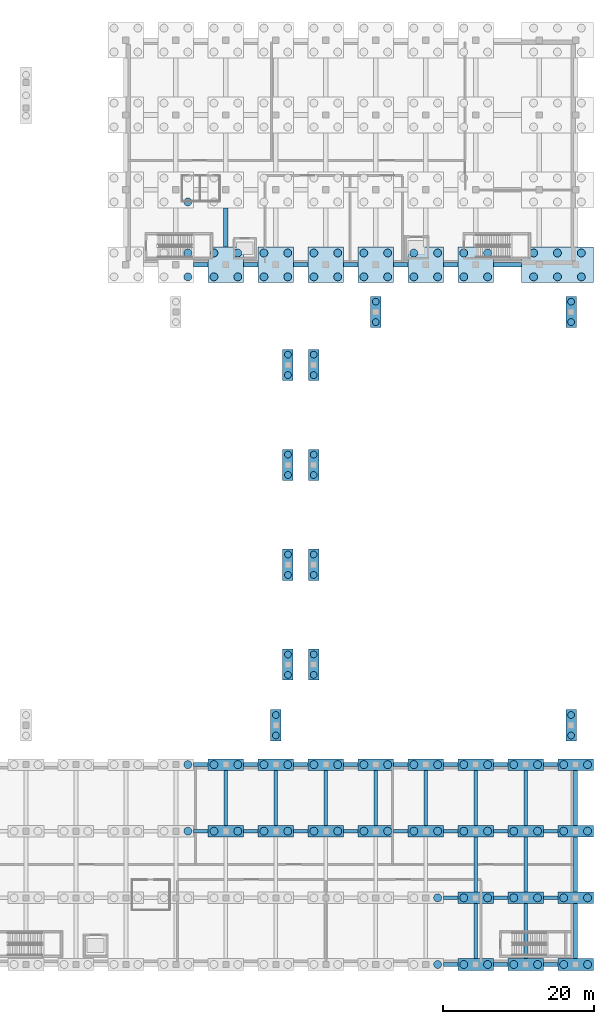
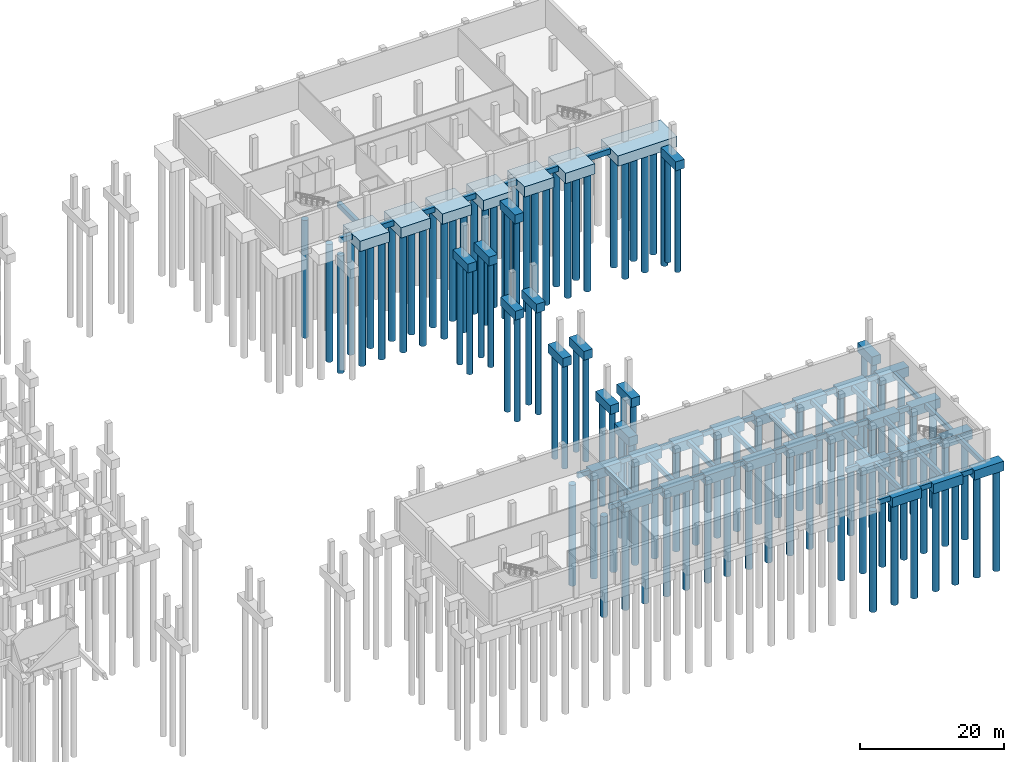
# One storey, part 5 of 23: 105 piles, 85 footings.
"""IFC4 building model written with IfcOpenShell, lengths in metres."""

from ifc_helpers import new_model, si_unit, direction, frame, origin, origin_2d, place, context, subcontext, project, spatial, rectangle, circle, extrude, material, material_profile, profile_set, type_object, element, save


model = new_model("IFC4")

# Units and contexts
model_context = context("Model", 3, precision=1e-05, world=origin(), true_north=direction((0.0, 1.0)))
body_context = subcontext(model_context, "Body", "Model", "MODEL_VIEW")
ifc_project = project(units=[si_unit("LENGTHUNIT", "METRE"), si_unit("AREAUNIT", "SQUARE_METRE"), si_unit("VOLUMEUNIT", "CUBIC_METRE"), si_unit("PLANEANGLEUNIT", "RADIAN"), si_unit("MASSUNIT", "GRAM", prefix="KILO")], contexts=[model_context])

# Site, building, storey
site_placement = place(None, origin())
site = spatial("IfcSite", under=ifc_project, at=site_placement, CompositionType="ELEMENT")
building_placement = place(site_placement, origin())
building = spatial("IfcBuilding", under=site, at=building_placement, Name="Dornvale Research Institute", CompositionType="ELEMENT")
storey_placement = place(building_placement, frame((0.0, 0.0, -5.39990234375)))
storey = spatial("IfcBuildingStorey", under=building, at=storey_placement, Name="B1", CompositionType="ELEMENT", Elevation=-5.39990234375)

# Piles
ifc_material_1 = material(Name="Concrete f'c 35 MPa (C30/37)", Category="concrete")
ifc_material_profile_1 = material_profile(ifc_material_1, circle(Radius=0.52490234375, at=origin_2d()), Name="CIDH PILE D1050")
ifc_profile_set_1 = profile_set([ifc_material_profile_1], Name="Concrete f'c 35 MPa (C30/37)")
pile_type_1 = type_object("IfcPileType", Name="BoredPile_CIDH_1050", PredefinedType="BORED", material=ifc_profile_set_1)
for number, where, z_axis, x_axis, name in (
    (1, (159.97509765625, 0.0, -1.97998046875), (0.0, 0.0, -1.0), (1.0, 0.0, 0.0), "CIDH bored pile P-02 #38"),
    (2, (163.425048828125, 0.0, -1.97998046875), (0.0, 0.0, -1.0), (1.0, 0.0, 0.0), "CIDH bored pile P-02 #39"),
    (3, (166.574951171875, 0.0, -1.97998046875), (0.0, 0.0, -1.0), (1.0, 0.0, 0.0), "CIDH bored pile P-02 #40"),
    (4, (170.02490234375, 0.0, -1.97998046875), (0.0, 0.0, -1.0), (1.0, 0.0, 0.0), "CIDH bored pile P-02 #41"),
    (5, (173.175048828125, 0.0, -1.97998046875), (0.0, 0.0, -1.0), (1.0, 0.0, 0.0), "CIDH bored pile P-02 #42"),
    (6, (176.625, 0.0, -1.97998046875), (0.0, 0.0, -1.0), (1.0, 0.0, 0.0), "CIDH bored pile P-02 #43"),
    (7, (179.77490234375, 0.0, -1.97998046875), (0.0, 0.0, -1.0), (1.0, 0.0, 0.0), "CIDH bored pile P-02 #44"),
    (8, (159.97509765625, 8.804931640625, -1.97998046875), (0.0, 0.0, -1.0), (1.0, 0.0, 0.0), "CIDH bored pile P-02 #64"),
    (9, (163.425048828125, 8.804931640625, -1.97998046875), (0.0, 0.0, -1.0), (1.0, 0.0, 0.0), "CIDH bored pile P-02 #65"),
    (10, (166.574951171875, 8.804931640625, -1.97998046875), (0.0, 0.0, -1.0), (1.0, 0.0, 0.0), "CIDH bored pile P-02 #66"),
    (11, (170.02490234375, 8.804931640625, -1.97998046875), (0.0, 0.0, -1.0), (1.0, 0.0, 0.0), "CIDH bored pile P-02 #67"),
    (12, (173.175048828125, 8.804931640625, -1.97998046875), (0.0, 0.0, -1.0), (1.0, 0.0, 0.0), "CIDH bored pile P-02 #68"),
    (13, (176.625, 8.804931640625, -1.97998046875), (0.0, 0.0, -1.0), (1.0, 0.0, 0.0), "CIDH bored pile P-02 #69"),
    (14, (179.77490234375, 8.804931640625, -1.97998046875), (0.0, 0.0, -1.0), (1.0, 0.0, 0.0), "CIDH bored pile P-02 #70"),
    (15, (126.97509765625, 17.60498046875, -1.97998046875), (0.0, 0.0, -1.0), (1.0, 0.0, 0.0), "CIDH bored pile P-02 #82"),
    (16, (130.425048828125, 17.60498046875, -1.97998046875), (0.0, 0.0, -1.0), (1.0, 0.0, 0.0), "CIDH bored pile P-02 #83"),
    (17, (133.574951171875, 17.60498046875, -1.97998046875), (0.0, 0.0, -1.0), (1.0, 0.0, 0.0), "CIDH bored pile P-02 #84"),
    (18, (137.02490234375, 17.60498046875, -1.97998046875), (0.0, 0.0, -1.0), (1.0, 0.0, 0.0), "CIDH bored pile P-02 #85"),
    (19, (140.175048828125, 17.60498046875, -1.97998046875), (0.0, 0.0, -1.0), (1.0, 0.0, 0.0), "CIDH bored pile P-02 #86"),
    (20, (143.625, 17.60498046875, -1.97998046875), (0.0, 0.0, -1.0), (1.0, 0.0, 0.0), "CIDH bored pile P-02 #87"),
    (21, (146.77490234375, 17.60498046875, -1.97998046875), (0.0, 0.0, -1.0), (1.0, 0.0, 0.0), "CIDH bored pile P-02 #88"),
    (22, (150.22509765625, 17.60498046875, -1.97998046875), (0.0, 0.0, -1.0), (1.0, 0.0, 0.0), "CIDH bored pile P-02 #89"),
    (23, (153.375, 17.60498046875, -1.97998046875), (0.0, 0.0, -1.0), (1.0, 0.0, 0.0), "CIDH bored pile P-02 #90"),
    (24, (156.824951171875, 17.60498046875, -1.97998046875), (0.0, 0.0, -1.0), (1.0, 0.0, 0.0), "CIDH bored pile P-02 #91"),
    (25, (159.97509765625, 17.60498046875, -1.97998046875), (0.0, 0.0, -1.0), (1.0, 0.0, 0.0), "CIDH bored pile P-02 #92"),
    (26, (163.425048828125, 17.60498046875, -1.97998046875), (0.0, 0.0, -1.0), (1.0, 0.0, 0.0), "CIDH bored pile P-02 #93"),
    (27, (166.574951171875, 17.60498046875, -1.97998046875), (0.0, 0.0, -1.0), (1.0, 0.0, 0.0), "CIDH bored pile P-02 #94"),
    (28, (170.02490234375, 17.60498046875, -1.97998046875), (0.0, 0.0, -1.0), (1.0, 0.0, 0.0), "CIDH bored pile P-02 #95"),
    (29, (173.175048828125, 17.60498046875, -1.97998046875), (0.0, 0.0, -1.0), (1.0, 0.0, 0.0), "CIDH bored pile P-02 #96"),
    (30, (176.625, 17.60498046875, -1.97998046875), (0.0, 0.0, -1.0), (1.0, 0.0, 0.0), "CIDH bored pile P-02 #97"),
    (31, (179.77490234375, 17.60498046875, -1.97998046875), (0.0, 0.0, -1.0), (1.0, 0.0, 0.0), "CIDH bored pile P-02 #98"),
    (32, (126.97509765625, 26.39501953125, -1.97998046875), (0.0, 0.0, -1.0), (1.0, 0.0, 0.0), "CIDH bored pile P-02 #126"),
    (33, (130.425048828125, 26.39501953125, -1.97998046875), (0.0, 0.0, -1.0), (1.0, 0.0, 0.0), "CIDH bored pile P-02 #127"),
    (34, (133.574951171875, 26.39501953125, -1.97998046875), (0.0, 0.0, -1.0), (1.0, 0.0, 0.0), "CIDH bored pile P-02 #128"),
    (35, (137.02490234375, 26.39501953125, -1.97998046875), (0.0, 0.0, -1.0), (1.0, 0.0, 0.0), "CIDH bored pile P-02 #129"),
    (36, (140.175048828125, 26.39501953125, -1.97998046875), (0.0, 0.0, -1.0), (1.0, 0.0, 0.0), "CIDH bored pile P-02 #130"),
    (37, (143.625, 26.39501953125, -1.97998046875), (0.0, 0.0, -1.0), (1.0, 0.0, 0.0), "CIDH bored pile P-02 #131"),
    (38, (146.77490234375, 26.39501953125, -1.97998046875), (0.0, 0.0, -1.0), (1.0, 0.0, 0.0), "CIDH bored pile P-02 #132"),
    (39, (150.22509765625, 26.39501953125, -1.97998046875), (0.0, 0.0, -1.0), (1.0, 0.0, 0.0), "CIDH bored pile P-02 #133"),
    (40, (153.375, 26.39501953125, -1.97998046875), (0.0, 0.0, -1.0), (1.0, 0.0, 0.0), "CIDH bored pile P-02 #134"),
    (41, (156.824951171875, 26.39501953125, -1.97998046875), (0.0, 0.0, -1.0), (1.0, 0.0, 0.0), "CIDH bored pile P-02 #135"),
    (42, (159.97509765625, 26.39501953125, -1.97998046875), (0.0, 0.0, -1.0), (1.0, 0.0, 0.0), "CIDH bored pile P-02 #136"),
    (43, (163.425048828125, 26.39501953125, -1.97998046875), (0.0, 0.0, -1.0), (1.0, 0.0, 0.0), "CIDH bored pile P-02 #137"),
    (44, (166.574951171875, 26.39501953125, -1.97998046875), (0.0, 0.0, -1.0), (1.0, 0.0, 0.0), "CIDH bored pile P-02 #138"),
    (45, (170.02490234375, 26.39501953125, -1.97998046875), (0.0, 0.0, -1.0), (1.0, 0.0, 0.0), "CIDH bored pile P-02 #139"),
    (46, (173.175048828125, 26.39501953125, -1.97998046875), (0.0, 0.0, -1.0), (1.0, 0.0, 0.0), "CIDH bored pile P-02 #140"),
    (47, (176.625, 26.39501953125, -1.97998046875), (0.0, 0.0, -1.0), (1.0, 0.0, 0.0), "CIDH bored pile P-02 #141"),
    (48, (179.77490234375, 26.39501953125, -1.97998046875), (0.0, 0.0, -1.0), (1.0, 0.0, 0.0), "CIDH bored pile P-02 #142"),
):
    element("IfcPile", number, at=place(storey_placement, frame(where, z_axis=z_axis, x_axis=x_axis)), inside=storey, type_object=pile_type_1, Name=name, PredefinedType="BORED", context=body_context, shape_type="SweptSolid", body=[
        extrude(circle(Radius=0.52490234375, at=origin_2d()), origin(), (0.0, 0.0, 1.0), 17.1201171875),
    ])
for number, where, z_axis, x_axis, name in (
    (49, (126.97509765625, 90.824951171875, -2.130126953125), (0.0, 0.0, -1.0), (1.0, 0.0, 0.0), "CIDH bored pile P-02 #261"),
    (50, (126.97509765625, 93.97509765625, -2.130126953125), (0.0, 0.0, -1.0), (1.0, 0.0, 0.0), "CIDH bored pile P-02 #262"),
    (51, (130.425048828125, 90.824951171875, -2.130126953125), (0.0, 0.0, -1.0), (1.0, 0.0, 0.0), "CIDH bored pile P-02 #263"),
    (52, (130.425048828125, 93.97509765625, -2.130126953125), (0.0, 0.0, -1.0), (1.0, 0.0, 0.0), "CIDH bored pile P-02 #264"),
    (53, (133.574951171875, 90.824951171875, -2.130126953125), (0.0, 0.0, -1.0), (1.0, 0.0, 0.0), "CIDH bored pile P-02 #265"),
    (54, (133.574951171875, 93.97509765625, -2.130126953125), (0.0, 0.0, -1.0), (1.0, 0.0, 0.0), "CIDH bored pile P-02 #266"),
    (55, (137.02490234375, 90.824951171875, -2.130126953125), (0.0, 0.0, -1.0), (1.0, 0.0, 0.0), "CIDH bored pile P-02 #267"),
    (56, (137.02490234375, 93.97509765625, -2.130126953125), (0.0, 0.0, -1.0), (1.0, 0.0, 0.0), "CIDH bored pile P-02 #268"),
    (57, (140.175048828125, 90.824951171875, -2.130126953125), (0.0, 0.0, -1.0), (1.0, 0.0, 0.0), "CIDH bored pile P-02 #269"),
    (58, (140.175048828125, 93.97509765625, -2.130126953125), (0.0, 0.0, -1.0), (1.0, 0.0, 0.0), "CIDH bored pile P-02 #270"),
    (59, (143.625, 90.824951171875, -2.130126953125), (0.0, 0.0, -1.0), (1.0, 0.0, 0.0), "CIDH bored pile P-02 #271"),
    (60, (143.625, 93.97509765625, -2.130126953125), (0.0, 0.0, -1.0), (1.0, 0.0, 0.0), "CIDH bored pile P-02 #272"),
    (61, (146.77490234375, 90.824951171875, -2.130126953125), (0.0, 0.0, -1.0), (1.0, 0.0, 0.0), "CIDH bored pile P-02 #273"),
    (62, (146.77490234375, 93.97509765625, -2.130126953125), (0.0, 0.0, -1.0), (1.0, 0.0, 0.0), "CIDH bored pile P-02 #274"),
    (63, (150.22509765625, 90.824951171875, -2.130126953125), (0.0, 0.0, -1.0), (1.0, 0.0, 0.0), "CIDH bored pile P-02 #275"),
    (64, (150.22509765625, 93.97509765625, -2.130126953125), (0.0, 0.0, -1.0), (1.0, 0.0, 0.0), "CIDH bored pile P-02 #276"),
    (65, (153.375, 90.824951171875, -2.130126953125), (0.0, 0.0, -1.0), (1.0, 0.0, 0.0), "CIDH bored pile P-02 #277"),
    (66, (153.375, 93.97509765625, -2.130126953125), (0.0, 0.0, -1.0), (1.0, 0.0, 0.0), "CIDH bored pile P-02 #278"),
    (67, (156.824951171875, 90.824951171875, -2.130126953125), (0.0, 0.0, -1.0), (1.0, 0.0, 0.0), "CIDH bored pile P-02 #279"),
    (68, (156.824951171875, 93.97509765625, -2.130126953125), (0.0, 0.0, -1.0), (1.0, 0.0, 0.0), "CIDH bored pile P-02 #280"),
    (69, (159.97509765625, 90.824951171875, -2.130126953125), (0.0, 0.0, -1.0), (1.0, 0.0, 0.0), "CIDH bored pile P-02 #281"),
    (70, (159.97509765625, 93.97509765625, -2.130126953125), (0.0, 0.0, -1.0), (1.0, 0.0, 0.0), "CIDH bored pile P-02 #282"),
    (71, (163.425048828125, 90.824951171875, -2.130126953125), (0.0, 0.0, -1.0), (1.0, 0.0, 0.0), "CIDH bored pile P-02 #283"),
    (72, (163.425048828125, 93.97509765625, -2.130126953125), (0.0, 0.0, -1.0), (1.0, 0.0, 0.0), "CIDH bored pile P-02 #284"),
    (73, (166.574951171875, 90.824951171875, -2.130126953125), (0.0, 0.0, -1.0), (1.0, 0.0, 0.0), "CIDH bored pile P-02 #285"),
    (74, (166.574951171875, 93.97509765625, -2.130126953125), (0.0, 0.0, -1.0), (1.0, 0.0, 0.0), "CIDH bored pile P-02 #286"),
    (75, (172.64990234375, 90.824951171875, -2.130126953125), (0.0, 0.0, -1.0), (1.0, 0.0, 0.0), "CIDH bored pile P-02 #287"),
    (76, (172.64990234375, 93.97509765625, -2.130126953125), (0.0, 0.0, -1.0), (1.0, 0.0, 0.0), "CIDH bored pile P-02 #288"),
    (77, (175.800048828125, 90.824951171875, -2.130126953125), (0.0, 0.0, -1.0), (1.0, 0.0, 0.0), "CIDH bored pile P-02 #289"),
    (78, (175.800048828125, 93.97509765625, -2.130126953125), (0.0, 0.0, -1.0), (1.0, 0.0, 0.0), "CIDH bored pile P-02 #290"),
    (79, (178.949951171875, 90.824951171875, -2.130126953125), (0.0, 0.0, -1.0), (1.0, 0.0, 0.0), "CIDH bored pile P-02 #291"),
    (80, (178.949951171875, 93.97509765625, -2.130126953125), (0.0, 0.0, -1.0), (1.0, 0.0, 0.0), "CIDH bored pile P-02 #292"),
    (81, (126.97509765625, 100.72509765625, -2.130126953125), (0.0, 0.0, -1.0), (1.0, 0.0, 0.0), "CIDH bored pile P-02 #352"),
):
    element("IfcPile", number, at=place(storey_placement, frame(where, z_axis=z_axis, x_axis=x_axis)), inside=storey, type_object=pile_type_1, Name=name, PredefinedType="BORED", context=body_context, shape_type="SweptSolid", body=[
        extrude(circle(Radius=0.52490234375, at=origin_2d()), origin(), (0.0, 0.0, 1.0), 19.969970703125),
    ])
ifc_material_2 = material(Name="Concrete f'c 35 MPa (C30/37)", Category="concrete")
ifc_material_profile_2 = material_profile(ifc_material_2, circle(Radius=0.449951171875, at=origin_2d()), Name="CIDH PILE D900")
ifc_profile_set_2 = profile_set([ifc_material_profile_2], Name="Concrete f'c 35 MPa (C30/37)")
pile_type_2 = type_object("IfcPileType", Name="BoredPile_CIDH_900", PredefinedType="BORED", material=ifc_profile_set_2)
for number, where, z_axis, x_axis, name in (
    (82, (138.60009765625, 30.25, -1.380126953125), (0.0, 0.0, -1.0), (1.0, 0.0, 0.0), "CIDH bored pile P-03 #145"),
    (83, (138.60009765625, 32.949951171875, -1.380126953125), (0.0, 0.0, -1.0), (1.0, 0.0, 0.0), "CIDH bored pile P-03 #146"),
    (84, (177.60009765625, 30.25, -1.380126953125), (0.0, 0.0, -1.0), (1.0, 0.0, 0.0), "CIDH bored pile P-03 #147"),
    (85, (177.60009765625, 32.949951171875, -1.380126953125), (0.0, 0.0, -1.0), (1.0, 0.0, 0.0), "CIDH bored pile P-03 #148"),
    (86, (151.800048828125, 84.85009765625, -1.380126953125), (0.0, 0.0, -1.0), (1.0, 0.0, 0.0), "CIDH bored pile P-03 #243"),
    (87, (151.800048828125, 87.550048828125, -1.380126953125), (0.0, 0.0, -1.0), (1.0, 0.0, 0.0), "CIDH bored pile P-03 #244"),
    (88, (177.60009765625, 84.85009765625, -1.380126953125), (0.0, 0.0, -1.0), (1.0, 0.0, 0.0), "CIDH bored pile P-03 #245"),
    (89, (177.60009765625, 87.550048828125, -1.380126953125), (0.0, 0.0, -1.0), (1.0, 0.0, 0.0), "CIDH bored pile P-03 #246"),
    (90, (140.199951171875, 38.25, -1.380126953125), (0.0, 0.0, -1.0), (1.0, 0.0, 0.0), "Bridge CIDH bored pile P-03 #10"),
    (91, (140.199951171875, 40.949951171875, -1.380126953125), (0.0, 0.0, -1.0), (1.0, 0.0, 0.0), "Bridge CIDH bored pile P-03 #11"),
    (92, (143.60009765625, 38.25, -1.380126953125), (0.0, 0.0, -1.0), (1.0, 0.0, 0.0), "Bridge CIDH bored pile P-03 #12"),
    (93, (143.60009765625, 40.949951171875, -1.380126953125), (0.0, 0.0, -1.0), (1.0, 0.0, 0.0), "Bridge CIDH bored pile P-03 #13"),
    (94, (140.199951171875, 51.449951171875, -1.380126953125), (0.0, 0.0, -1.0), (1.0, 0.0, 0.0), "Bridge CIDH bored pile P-03 #14"),
    (95, (140.199951171875, 54.14990234375, -1.380126953125), (0.0, 0.0, -1.0), (1.0, 0.0, 0.0), "Bridge CIDH bored pile P-03 #15"),
    (96, (143.60009765625, 51.449951171875, -1.380126953125), (0.0, 0.0, -1.0), (1.0, 0.0, 0.0), "Bridge CIDH bored pile P-03 #16"),
    (97, (143.60009765625, 54.14990234375, -1.380126953125), (0.0, 0.0, -1.0), (1.0, 0.0, 0.0), "Bridge CIDH bored pile P-03 #17"),
    (98, (140.199951171875, 64.64990234375, -1.380126953125), (0.0, 0.0, -1.0), (1.0, 0.0, 0.0), "Bridge CIDH bored pile P-03 #18"),
    (99, (140.199951171875, 67.35009765625, -1.380126953125), (0.0, 0.0, -1.0), (1.0, 0.0, 0.0), "Bridge CIDH bored pile P-03 #19"),
    (100, (143.60009765625, 64.64990234375, -1.380126953125), (0.0, 0.0, -1.0), (1.0, 0.0, 0.0), "Bridge CIDH bored pile P-03 #20"),
    (101, (143.60009765625, 67.35009765625, -1.380126953125), (0.0, 0.0, -1.0), (1.0, 0.0, 0.0), "Bridge CIDH bored pile P-03 #21"),
    (102, (140.199951171875, 77.85009765625, -1.380126953125), (0.0, 0.0, -1.0), (1.0, 0.0, 0.0), "Bridge CIDH bored pile P-03 #22"),
    (103, (140.199951171875, 80.550048828125, -1.380126953125), (0.0, 0.0, -1.0), (1.0, 0.0, 0.0), "Bridge CIDH bored pile P-03 #23"),
    (104, (143.60009765625, 77.85009765625, -1.380126953125), (0.0, 0.0, -1.0), (1.0, 0.0, 0.0), "Bridge CIDH bored pile P-03 #24"),
    (105, (143.60009765625, 80.550048828125, -1.380126953125), (0.0, 0.0, -1.0), (1.0, 0.0, 0.0), "Bridge CIDH bored pile P-03 #25"),
):
    element("IfcPile", number, at=place(storey_placement, frame(where, z_axis=z_axis, x_axis=x_axis)), inside=storey, type_object=pile_type_2, Name=name, PredefinedType="BORED", context=body_context, shape_type="SweptSolid", body=[
        extrude(circle(Radius=0.449951171875, at=origin_2d()), origin(), (0.0, 0.0, 1.0), 17.719970703125),
    ])

# Footings
ifc_material_3 = material(Name="Concrete f'c 35 MPa (C30/37)", Category="concrete")
footing_type_1 = type_object("IfcFootingType", Name="FootingBeam_Tie_500x800", PredefinedType="FOOTING_BEAM", material=ifc_material_3)
for number, where, z_axis, x_axis, name in (
    (106, (161.699951171875, 0.0, -1.30029296875), (0.0, 0.0, 1.0), (1.0, 0.0, 0.0), "Seismic tie beam #95"),
    (107, (168.300048828125, 0.0, -1.30029296875), (0.0, 0.0, 1.0), (1.0, 0.0, 0.0), "Seismic tie beam #96"),
    (108, (174.89990234375, 0.0, -1.30029296875), (0.0, 0.0, 1.0), (1.0, 0.0, 0.0), "Seismic tie beam #97"),
    (109, (161.699951171875, 8.800048828125, -1.30029296875), (0.0, 0.0, 1.0), (1.0, 0.0, 0.0), "Seismic tie beam #107"),
    (110, (168.300048828125, 8.800048828125, -1.30029296875), (0.0, 0.0, 1.0), (1.0, 0.0, 0.0), "Seismic tie beam #108"),
    (111, (174.89990234375, 8.800048828125, -1.30029296875), (0.0, 0.0, 1.0), (1.0, 0.0, 0.0), "Seismic tie beam #109"),
    (112, (128.699951171875, 17.60009765625, -1.30029296875), (0.0, 0.0, 1.0), (1.0, 0.0, 0.0), "Seismic tie beam #114"),
    (113, (135.300048828125, 17.60009765625, -1.30029296875), (0.0, 0.0, 1.0), (1.0, 0.0, 0.0), "Seismic tie beam #115"),
    (114, (141.89990234375, 17.60009765625, -1.30029296875), (0.0, 0.0, 1.0), (1.0, 0.0, 0.0), "Seismic tie beam #116"),
    (115, (148.5, 17.60009765625, -1.30029296875), (0.0, 0.0, 1.0), (1.0, 0.0, 0.0), "Seismic tie beam #117"),
    (116, (155.10009765625, 17.60009765625, -1.30029296875), (0.0, 0.0, 1.0), (1.0, 0.0, 0.0), "Seismic tie beam #118"),
    (117, (161.699951171875, 17.60009765625, -1.30029296875), (0.0, 0.0, 1.0), (1.0, 0.0, 0.0), "Seismic tie beam #119"),
    (118, (168.300048828125, 17.60009765625, -1.30029296875), (0.0, 0.0, 1.0), (1.0, 0.0, 0.0), "Seismic tie beam #120"),
    (119, (174.89990234375, 17.60009765625, -1.30029296875), (0.0, 0.0, 1.0), (1.0, 0.0, 0.0), "Seismic tie beam #121"),
    (120, (128.699951171875, 26.39990234375, -1.30029296875), (0.0, 0.0, 1.0), (1.0, 0.0, 0.0), "Seismic tie beam #126"),
    (121, (135.300048828125, 26.39990234375, -1.30029296875), (0.0, 0.0, 1.0), (1.0, 0.0, 0.0), "Seismic tie beam #127"),
    (122, (141.89990234375, 26.39990234375, -1.30029296875), (0.0, 0.0, 1.0), (1.0, 0.0, 0.0), "Seismic tie beam #128"),
    (123, (148.5, 26.39990234375, -1.30029296875), (0.0, 0.0, 1.0), (1.0, 0.0, 0.0), "Seismic tie beam #129"),
    (124, (155.10009765625, 26.39990234375, -1.30029296875), (0.0, 0.0, 1.0), (1.0, 0.0, 0.0), "Seismic tie beam #130"),
    (125, (161.699951171875, 26.39990234375, -1.30029296875), (0.0, 0.0, 1.0), (1.0, 0.0, 0.0), "Seismic tie beam #131"),
    (126, (168.300048828125, 26.39990234375, -1.30029296875), (0.0, 0.0, 1.0), (1.0, 0.0, 0.0), "Seismic tie beam #132"),
    (127, (174.89990234375, 26.39990234375, -1.30029296875), (0.0, 0.0, 1.0), (1.0, 0.0, 0.0), "Seismic tie beam #133"),
):
    element("IfcFooting", number, at=place(storey_placement, frame(where, z_axis=z_axis, x_axis=x_axis)), inside=storey, type_object=footing_type_1, Name=name, PredefinedType="FOOTING_BEAM", context=body_context, shape_type="SweptSolid", body=[
        extrude(rectangle(XDim=1.89990234375, YDim=0.5, at=origin_2d()), origin(), (0.0, 0.0, 1.0), 0.800048828125),
    ])
for number, where, z_axis, x_axis, name in (
    (128, (132.0, 22.0, -1.30029296875), (0.0, 0.0, 1.0), (0.0, 1.0, 0.0), "Seismic tie beam #151"),
    (129, (138.60009765625, 22.0, -1.30029296875), (0.0, 0.0, 1.0), (0.0, 1.0, 0.0), "Seismic tie beam #154"),
    (130, (145.199951171875, 22.0, -1.30029296875), (0.0, 0.0, 1.0), (0.0, 1.0, 0.0), "Seismic tie beam #157"),
    (131, (151.800048828125, 22.0, -1.30029296875), (0.0, 0.0, 1.0), (0.0, 1.0, 0.0), "Seismic tie beam #160"),
    (132, (158.39990234375, 22.0, -1.30029296875), (0.0, 0.0, 1.0), (0.0, 1.0, 0.0), "Seismic tie beam #163"),
):
    element("IfcFooting", number, at=place(storey_placement, frame(where, z_axis=z_axis, x_axis=x_axis)), inside=storey, type_object=footing_type_1, Name=name, PredefinedType="FOOTING_BEAM", context=body_context, shape_type="SweptSolid", body=[
        extrude(rectangle(XDim=7.239990234375, YDim=0.5, at=origin_2d()), origin(), (0.0, 0.0, 1.0), 0.800048828125),
    ])
for number, where, z_axis, x_axis, name in (
    (133, (165.0, 4.405029296875, -1.30029296875), (0.0, 0.0, 1.0), (0.0, 1.0, 0.0), "Seismic tie beam #164"),
    (134, (165.0, 13.205078125, -1.30029296875), (0.0, 0.0, 1.0), (0.0, 1.0, 0.0), "Seismic tie beam #165"),
):
    element("IfcFooting", number, at=place(storey_placement, frame(where, z_axis=z_axis, x_axis=x_axis)), inside=storey, type_object=footing_type_1, Name=name, PredefinedType="FOOTING_BEAM", context=body_context, shape_type="SweptSolid", body=[
        extrude(rectangle(XDim=7.25, YDim=0.5, at=origin_2d()), origin(), (0.0, 0.0, 1.0), 0.800048828125),
    ])
footing_1_placement = place(storey_placement, frame((165.0, 22.0, -1.30029296875), z_axis=(0.0, 0.0, 1.0), x_axis=(0.0, 1.0, 0.0)))
element("IfcFooting", 135, at=footing_1_placement, inside=storey, type_object=footing_type_1, Name="Seismic tie beam #166", PredefinedType="FOOTING_BEAM", context=body_context, shape_type="SweptSolid", body=[
    extrude(rectangle(XDim=7.239990234375, YDim=0.5, at=origin_2d()), origin(), (0.0, 0.0, 1.0), 0.800048828125),
])
for number, where, z_axis, x_axis, name in (
    (136, (171.60009765625, 4.405029296875, -1.30029296875), (0.0, 0.0, 1.0), (0.0, 1.0, 0.0), "Seismic tie beam #167"),
    (137, (171.60009765625, 13.205078125, -1.30029296875), (0.0, 0.0, 1.0), (0.0, 1.0, 0.0), "Seismic tie beam #168"),
):
    element("IfcFooting", number, at=place(storey_placement, frame(where, z_axis=z_axis, x_axis=x_axis)), inside=storey, type_object=footing_type_1, Name=name, PredefinedType="FOOTING_BEAM", context=body_context, shape_type="SweptSolid", body=[
        extrude(rectangle(XDim=7.25, YDim=0.5, at=origin_2d()), origin(), (0.0, 0.0, 1.0), 0.800048828125),
    ])
footing_2_placement = place(storey_placement, frame((171.60009765625, 22.0, -1.30029296875), z_axis=(0.0, 0.0, 1.0), x_axis=(0.0, 1.0, 0.0)))
element("IfcFooting", 138, at=footing_2_placement, inside=storey, type_object=footing_type_1, Name="Seismic tie beam #169", PredefinedType="FOOTING_BEAM", context=body_context, shape_type="SweptSolid", body=[
    extrude(rectangle(XDim=7.239990234375, YDim=0.5, at=origin_2d()), origin(), (0.0, 0.0, 1.0), 0.800048828125),
])
for number, where, z_axis, x_axis, name in (
    (139, (178.199951171875, 4.405029296875, -1.30029296875), (0.0, 0.0, 1.0), (0.0, 1.0, 0.0), "Seismic tie beam #170"),
    (140, (178.199951171875, 13.205078125, -1.30029296875), (0.0, 0.0, 1.0), (0.0, 1.0, 0.0), "Seismic tie beam #171"),
):
    element("IfcFooting", number, at=place(storey_placement, frame(where, z_axis=z_axis, x_axis=x_axis)), inside=storey, type_object=footing_type_1, Name=name, PredefinedType="FOOTING_BEAM", context=body_context, shape_type="SweptSolid", body=[
        extrude(rectangle(XDim=7.25, YDim=0.5, at=origin_2d()), origin(), (0.0, 0.0, 1.0), 0.800048828125),
    ])
footing_3_placement = place(storey_placement, frame((178.199951171875, 22.0, -1.30029296875), z_axis=(0.0, 0.0, 1.0), x_axis=(0.0, 1.0, 0.0)))
element("IfcFooting", 141, at=footing_3_placement, inside=storey, type_object=footing_type_1, Name="Seismic tie beam #172", PredefinedType="FOOTING_BEAM", context=body_context, shape_type="SweptSolid", body=[
    extrude(rectangle(XDim=7.239990234375, YDim=0.5, at=origin_2d()), origin(), (0.0, 0.0, 1.0), 0.800048828125),
])
ifc_material_4 = material(Name="Concrete f'c 35 MPa (C30/37)", Category="concrete")
footing_type_2 = type_object("IfcFootingType", Name="FootingBeam_Tie_600x900", PredefinedType="FOOTING_BEAM", material=ifc_material_4)
for number, where, z_axis, x_axis, name in (
    (142, (128.699951171875, 92.39990234375, -1.400146484375), (0.0, 0.0, 1.0), (1.0, 0.0, 0.0), "Seismic tie beam #25"),
    (143, (135.300048828125, 92.39990234375, -1.400146484375), (0.0, 0.0, 1.0), (1.0, 0.0, 0.0), "Seismic tie beam #26"),
    (144, (141.89990234375, 92.39990234375, -1.400146484375), (0.0, 0.0, 1.0), (1.0, 0.0, 0.0), "Seismic tie beam #27"),
    (145, (148.5, 92.39990234375, -1.400146484375), (0.0, 0.0, 1.0), (1.0, 0.0, 0.0), "Seismic tie beam #28"),
    (146, (155.10009765625, 92.39990234375, -1.400146484375), (0.0, 0.0, 1.0), (1.0, 0.0, 0.0), "Seismic tie beam #29"),
    (147, (161.699951171875, 92.39990234375, -1.400146484375), (0.0, 0.0, 1.0), (1.0, 0.0, 0.0), "Seismic tie beam #30"),
):
    element("IfcFooting", number, at=place(storey_placement, frame(where, z_axis=z_axis, x_axis=x_axis)), inside=storey, type_object=footing_type_2, Name=name, PredefinedType="FOOTING_BEAM", context=body_context, shape_type="SweptSolid", body=[
        extrude(rectangle(XDim=1.89990234375, YDim=0.60009765625, at=origin_2d()), origin(), (0.0, 0.0, 1.0), 0.89990234375),
    ])
footing_4_placement = place(storey_placement, frame((169.199951171875, 92.39990234375, -1.400146484375), z_axis=(0.0, 0.0, 1.0), x_axis=(1.0, 0.0, 0.0)))
element("IfcFooting", 148, at=footing_4_placement, inside=storey, type_object=footing_type_2, Name="Seismic tie beam #31", PredefinedType="FOOTING_BEAM", context=body_context, shape_type="SweptSolid", body=[
    extrude(rectangle(XDim=3.699951171875, YDim=0.60009765625, at=origin_2d()), origin(), (0.0, 0.0, 1.0), 0.89990234375),
])
footing_5_placement = place(storey_placement, frame((132.0, 97.35009765625, -1.400146484375), z_axis=(0.0, 0.0, 1.0), x_axis=(0.0, 1.0, 0.0)))
element("IfcFooting", 149, at=footing_5_placement, inside=storey, type_object=footing_type_2, Name="Seismic tie beam #62", PredefinedType="FOOTING_BEAM", context=body_context, shape_type="SweptSolid", body=[
    extrude(rectangle(XDim=5.199951171875, YDim=0.60009765625, at=origin_2d()), origin(), (0.0, 0.0, 1.0), 0.89990234375),
])
ifc_material_5 = material(Name="Concrete f'c 35 MPa (C30/37)", Category="concrete")
footing_type_3 = type_object("IfcFootingType", Name="PileCap_1400x4100x1500", PredefinedType="PILE_CAP", material=ifc_material_5)
for number, where, z_axis, x_axis, name in (
    (150, (138.60009765625, 31.60009765625, -1.5), (0.0, 0.0, 1.0), (1.0, 0.0, 0.0), "Pile cap PC-01 #73"),
    (151, (177.60009765625, 31.60009765625, -1.5), (0.0, 0.0, 1.0), (1.0, 0.0, 0.0), "Pile cap PC-01 #74"),
    (152, (151.800048828125, 86.199951171875, -1.5), (0.0, 0.0, 1.0), (1.0, 0.0, 0.0), "Pile cap PC-01 #122"),
    (153, (177.60009765625, 86.199951171875, -1.5), (0.0, 0.0, 1.0), (1.0, 0.0, 0.0), "Pile cap PC-01 #123"),
    (154, (140.199951171875, 39.60009765625, -1.5), (0.0, 0.0, 1.0), (1.0, 0.0, 0.0), "Bridge pier pile cap PC-01 #4"),
    (155, (143.60009765625, 39.60009765625, -1.5), (0.0, 0.0, 1.0), (1.0, 0.0, 0.0), "Bridge pier pile cap PC-01 #5"),
    (156, (140.199951171875, 52.800048828125, -1.5), (0.0, 0.0, 1.0), (1.0, 0.0, 0.0), "Bridge pier pile cap PC-01 #6"),
    (157, (143.60009765625, 52.800048828125, -1.5), (0.0, 0.0, 1.0), (1.0, 0.0, 0.0), "Bridge pier pile cap PC-01 #7"),
    (158, (140.199951171875, 66.0, -1.5), (0.0, 0.0, 1.0), (1.0, 0.0, 0.0), "Bridge pier pile cap PC-01 #8"),
    (159, (143.60009765625, 66.0, -1.5), (0.0, 0.0, 1.0), (1.0, 0.0, 0.0), "Bridge pier pile cap PC-01 #9"),
    (160, (140.199951171875, 79.199951171875, -1.5), (0.0, 0.0, 1.0), (1.0, 0.0, 0.0), "Bridge pier pile cap PC-01 #10"),
    (161, (143.60009765625, 79.199951171875, -1.5), (0.0, 0.0, 1.0), (1.0, 0.0, 0.0), "Bridge pier pile cap PC-01 #11"),
):
    element("IfcFooting", number, at=place(storey_placement, frame(where, z_axis=z_axis, x_axis=x_axis)), inside=storey, type_object=footing_type_3, Name=name, PredefinedType="PILE_CAP", context=body_context, shape_type="SweptSolid", body=[
        extrude(rectangle(XDim=1.39990234375, YDim=4.10009765625, at=origin_2d()), origin(), (0.0, 0.0, 1.0), 1.5),
    ])
ifc_material_6 = material(Name="Concrete f'c 35 MPa (C30/37)", Category="concrete")
footing_type_4 = type_object("IfcFootingType", Name="PileCap_4700x1550x1600", PredefinedType="PILE_CAP", material=ifc_material_6)
for number, where, z_axis, x_axis, name in (
    (162, (165.0, 8.804931640625, -2.10009765625), (0.0, 0.0, 1.0), (1.0, 0.0, 0.0), "Pile cap PC-03 #33"),
    (163, (171.60009765625, 8.804931640625, -2.10009765625), (0.0, 0.0, 1.0), (1.0, 0.0, 0.0), "Pile cap PC-03 #34"),
    (164, (178.199951171875, 8.804931640625, -2.10009765625), (0.0, 0.0, 1.0), (1.0, 0.0, 0.0), "Pile cap PC-03 #35"),
    (165, (132.0, 17.60498046875, -2.10009765625), (0.0, 0.0, 1.0), (1.0, 0.0, 0.0), "Pile cap PC-03 #42"),
    (166, (138.60009765625, 17.60498046875, -2.10009765625), (0.0, 0.0, 1.0), (1.0, 0.0, 0.0), "Pile cap PC-03 #43"),
    (167, (145.199951171875, 17.60498046875, -2.10009765625), (0.0, 0.0, 1.0), (1.0, 0.0, 0.0), "Pile cap PC-03 #44"),
    (168, (151.800048828125, 17.60498046875, -2.10009765625), (0.0, 0.0, 1.0), (1.0, 0.0, 0.0), "Pile cap PC-03 #45"),
    (169, (158.39990234375, 17.60498046875, -2.10009765625), (0.0, 0.0, 1.0), (1.0, 0.0, 0.0), "Pile cap PC-03 #46"),
    (170, (165.0, 17.60498046875, -2.10009765625), (0.0, 0.0, 1.0), (1.0, 0.0, 0.0), "Pile cap PC-03 #47"),
    (171, (171.60009765625, 17.60498046875, -2.10009765625), (0.0, 0.0, 1.0), (1.0, 0.0, 0.0), "Pile cap PC-03 #48"),
    (172, (178.199951171875, 17.60498046875, -2.10009765625), (0.0, 0.0, 1.0), (1.0, 0.0, 0.0), "Pile cap PC-03 #49"),
    (173, (132.0, 26.39501953125, -2.10009765625), (0.0, 0.0, 1.0), (1.0, 0.0, 0.0), "Pile cap PC-03 #64"),
    (174, (138.60009765625, 26.39501953125, -2.10009765625), (0.0, 0.0, 1.0), (1.0, 0.0, 0.0), "Pile cap PC-03 #65"),
    (175, (145.199951171875, 26.39501953125, -2.10009765625), (0.0, 0.0, 1.0), (1.0, 0.0, 0.0), "Pile cap PC-03 #66"),
    (176, (151.800048828125, 26.39501953125, -2.10009765625), (0.0, 0.0, 1.0), (1.0, 0.0, 0.0), "Pile cap PC-03 #67"),
    (177, (158.39990234375, 26.39501953125, -2.10009765625), (0.0, 0.0, 1.0), (1.0, 0.0, 0.0), "Pile cap PC-03 #68"),
    (178, (165.0, 26.39501953125, -2.10009765625), (0.0, 0.0, 1.0), (1.0, 0.0, 0.0), "Pile cap PC-03 #69"),
    (179, (171.60009765625, 26.39501953125, -2.10009765625), (0.0, 0.0, 1.0), (1.0, 0.0, 0.0), "Pile cap PC-03 #70"),
    (180, (178.199951171875, 26.39501953125, -2.10009765625), (0.0, 0.0, 1.0), (1.0, 0.0, 0.0), "Pile cap PC-03 #71"),
):
    element("IfcFooting", number, at=place(storey_placement, frame(where, z_axis=z_axis, x_axis=x_axis)), inside=storey, type_object=footing_type_4, Name=name, PredefinedType="PILE_CAP", context=body_context, shape_type="SweptSolid", body=[
        extrude(rectangle(XDim=4.699951171875, YDim=1.550048828125, at=origin_2d()), origin(), (0.0, 0.0, 1.0), 1.60009765625),
    ])
ifc_material_7 = material(Name="Concrete f'c 35 MPa (C30/37)", Category="concrete")
footing_type_5 = type_object("IfcFootingType", Name="PileCap_4700x1560x1600", PredefinedType="PILE_CAP", material=ifc_material_7)
for number, where, z_axis, x_axis, name in (
    (181, (165.0, 0.0, -2.10009765625), (0.0, 0.0, 1.0), (1.0, 0.0, 0.0), "Pile cap PC-02 #20"),
    (182, (171.60009765625, 0.0, -2.10009765625), (0.0, 0.0, 1.0), (1.0, 0.0, 0.0), "Pile cap PC-02 #21"),
    (183, (178.199951171875, 0.0, -2.10009765625), (0.0, 0.0, 1.0), (1.0, 0.0, 0.0), "Pile cap PC-02 #22"),
):
    element("IfcFooting", number, at=place(storey_placement, frame(where, z_axis=z_axis, x_axis=x_axis)), inside=storey, type_object=footing_type_5, Name=name, PredefinedType="PILE_CAP", context=body_context, shape_type="SweptSolid", body=[
        extrude(rectangle(XDim=4.699951171875, YDim=1.56005859375, at=origin_2d()), origin(), (0.0, 0.0, 1.0), 1.60009765625),
    ])
ifc_material_8 = material(Name="Concrete f'c 35 MPa (C30/37)", Category="concrete")
footing_type_6 = type_object("IfcFootingType", Name="PileCap_4700x4700x1750", PredefinedType="PILE_CAP", material=ifc_material_8)
for number, where, z_axis, x_axis, name in (
    (184, (132.0, 92.39990234375, -2.25), (0.0, 0.0, 1.0), (1.0, 0.0, 0.0), "Pile cap PC-05 #130"),
    (185, (138.60009765625, 92.39990234375, -2.25), (0.0, 0.0, 1.0), (1.0, 0.0, 0.0), "Pile cap PC-05 #131"),
    (186, (145.199951171875, 92.39990234375, -2.25), (0.0, 0.0, 1.0), (1.0, 0.0, 0.0), "Pile cap PC-05 #132"),
    (187, (151.800048828125, 92.39990234375, -2.25), (0.0, 0.0, 1.0), (1.0, 0.0, 0.0), "Pile cap PC-05 #133"),
    (188, (158.39990234375, 92.39990234375, -2.25), (0.0, 0.0, 1.0), (1.0, 0.0, 0.0), "Pile cap PC-05 #134"),
    (189, (165.0, 92.39990234375, -2.25), (0.0, 0.0, 1.0), (1.0, 0.0, 0.0), "Pile cap PC-05 #135"),
):
    element("IfcFooting", number, at=place(storey_placement, frame(where, z_axis=z_axis, x_axis=x_axis)), inside=storey, type_object=footing_type_6, Name=name, PredefinedType="PILE_CAP", context=body_context, shape_type="SweptSolid", body=[
        extrude(rectangle(XDim=4.699951171875, YDim=4.699951171875, at=origin_2d()), origin(), (0.0, 0.0, 1.0), 1.75),
    ])
ifc_material_9 = material(Name="Concrete f'c 35 MPa (C30/37)", Category="concrete")
footing_type_7 = type_object("IfcFootingType", Name="PileCap_9500x4700x1750", PredefinedType="PILE_CAP", material=ifc_material_9)
footing_6_placement = place(storey_placement, frame((175.800048828125, 92.39990234375, -2.25), z_axis=(0.0, 0.0, 1.0), x_axis=(1.0, 0.0, 0.0)))
element("IfcFooting", 190, at=footing_6_placement, inside=storey, type_object=footing_type_7, Name="Pile cap PC-06 #136", PredefinedType="PILE_CAP", context=body_context, shape_type="SweptSolid", body=[
    extrude(rectangle(XDim=9.5, YDim=4.699951171875, at=origin_2d()), origin(), (0.0, 0.0, 1.0), 1.75),
])

save(model, "model.ifc")
